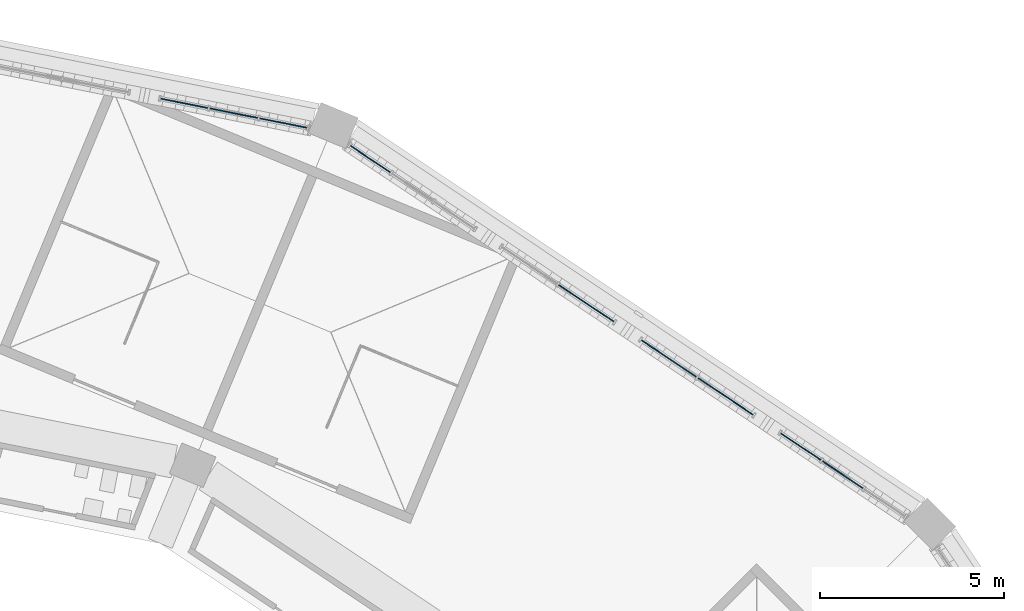
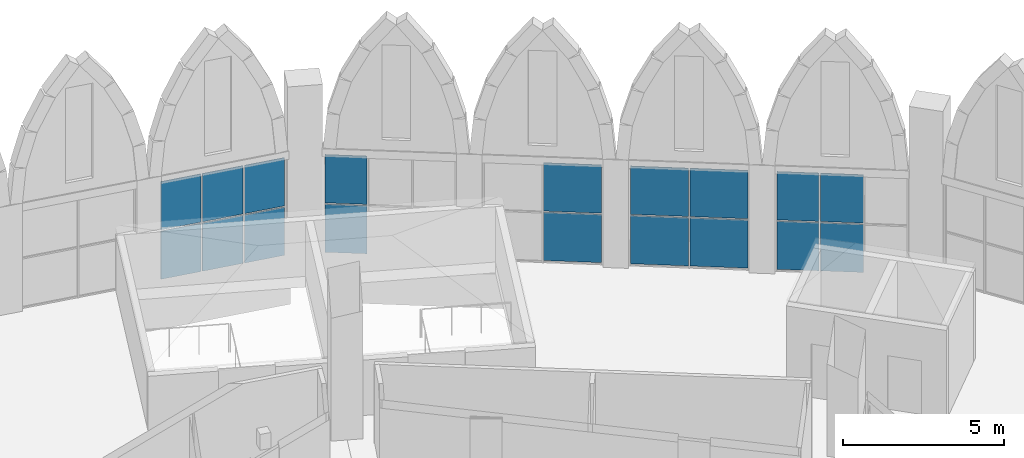
# One storey, part 62 of 130: 18 plates, 5 elements without a shape of their own.
"""IFC4 building model written with IfcOpenShell, lengths in metres."""

from ifc_helpers import new_model, si_unit, direction, frame, origin, origin_2d, place, context, subcontext, project, spatial, rectangle, extrude, material, layer, layer_set, type_object, element, aggregate, save


model = new_model("IFC4")

# Units and contexts
model_context = context("Model", 3, precision=1e-05, world=origin(), true_north=direction((0.0, 1.0)))
body_context = subcontext(model_context, "Body", "Model", "MODEL_VIEW")
ifc_project = project(units=[si_unit("LENGTHUNIT", "METRE"), si_unit("AREAUNIT", "SQUARE_METRE"), si_unit("VOLUMEUNIT", "CUBIC_METRE"), si_unit("PLANEANGLEUNIT", "RADIAN"), si_unit("MASSUNIT", "GRAM", prefix="KILO")], contexts=[model_context])

# Site, building, storey
site_placement = place(None, origin())
site = spatial("IfcSite", under=ifc_project, at=site_placement, CompositionType="ELEMENT")
building_placement = place(site_placement, origin())
building = spatial("IfcBuilding", under=site, at=building_placement, Name="Ogive Plaza Stadium", CompositionType="ELEMENT")
storey_placement = place(building_placement, frame((0.0, 0.0, 22.5)))
storey = spatial("IfcBuildingStorey", under=building, at=storey_placement, Name="L05", CompositionType="ELEMENT", Elevation=22.5)

# Curtain wall, plates
ifc_material_1 = material(Name="Bronze-anodised aluminium with laminated glass", Category="aluminium")
curtain_wall_type = type_object("IfcCurtainWallType", Name="Lancet curtain wall", PredefinedType="NOTDEFINED", material=ifc_material_1)
curtain_wall_1_placement = place(storey_placement, origin())
curtain_wall_1 = element("IfcCurtainWall", 1, at=curtain_wall_1_placement, inside=storey, type_object=curtain_wall_type, Name="CURTAIN WALL B37 L05", PredefinedType="NOTDEFINED")
ifc_material_2 = material(Name="Laminated glass", Category="glass")
ifc_layer = layer(ifc_material_2, 0.028076171875)
ifc_layer_set = layer_set([ifc_layer], Name="Laminated glass panel 28")
plate_type = type_object("IfcPlateType", Name="Laminated glass panel 28", PredefinedType="CURTAIN_PANEL", material=ifc_layer_set)
plate_1_placement = place(storey_placement, frame((49.081787109375, 99.296142578125, 0.0498046875), z_axis=(0.0, 0.0, 1.0), x_axis=(0.980785280413, -0.195090321965, 0.0)))
plate_1 = element("IfcPlate", 2, at=plate_1_placement, type_object=plate_type, Name="CW-B37-L05.4 panel 1.1", PredefinedType="CURTAIN_PANEL", context=body_context, shape_type="SweptSolid", body=[
    extrude(rectangle(XDim=1.310791015625, YDim=0.028076171875, at=origin_2d()), origin(), (0.0, 0.0, 1.0), 1.824951171875),
])
plate_2_placement = place(storey_placement, frame((49.081787109375, 99.296142578125, 1.9248046875), z_axis=(0.0, 0.0, 1.0), x_axis=(0.980785280413, -0.195090321965, 0.0)))
plate_2 = element("IfcPlate", 3, at=plate_2_placement, type_object=plate_type, Name="CW-B37-L05.4 panel 1.2", PredefinedType="CURTAIN_PANEL", context=body_context, shape_type="SweptSolid", body=[
    extrude(rectangle(XDim=1.310791015625, YDim=0.028076171875, at=origin_2d()), origin(), (0.0, 0.0, 1.0), 1.824951171875),
])
plate_3_placement = place(storey_placement, frame((50.428466796875, 99.0283203125, 0.0498046875), z_axis=(0.0, 0.0, 1.0), x_axis=(0.980785280413, -0.195090321965, 0.0)))
plate_3 = element("IfcPlate", 4, at=plate_3_placement, type_object=plate_type, Name="CW-B37-L05.4 panel 2.1", PredefinedType="CURTAIN_PANEL", context=body_context, shape_type="SweptSolid", body=[
    extrude(rectangle(XDim=1.335693359375, YDim=0.028076171875, at=origin_2d()), origin(), (0.0, 0.0, 1.0), 1.824951171875),
])
plate_4_placement = place(storey_placement, frame((50.428466796875, 99.0283203125, 1.9248046875), z_axis=(0.0, 0.0, 1.0), x_axis=(0.980785280413, -0.195090321965, 0.0)))
plate_4 = element("IfcPlate", 5, at=plate_4_placement, type_object=plate_type, Name="CW-B37-L05.4 panel 2.2", PredefinedType="CURTAIN_PANEL", context=body_context, shape_type="SweptSolid", body=[
    extrude(rectangle(XDim=1.335693359375, YDim=0.028076171875, at=origin_2d()), origin(), (0.0, 0.0, 1.0), 1.824951171875),
])
plate_5_placement = place(storey_placement, frame((51.775390625, 98.76025390625, 0.0498046875), z_axis=(0.0, 0.0, 1.0), x_axis=(0.980785280413, -0.195090321965, 0.0)))
plate_5 = element("IfcPlate", 6, at=plate_5_placement, type_object=plate_type, Name="CW-B37-L05.4 panel 3.1", PredefinedType="CURTAIN_PANEL", context=body_context, shape_type="SweptSolid", body=[
    extrude(rectangle(XDim=1.310791015625, YDim=0.028076171875, at=origin_2d()), origin(), (0.0, 0.0, 1.0), 1.824951171875),
])
plate_6_placement = place(storey_placement, frame((51.775390625, 98.76025390625, 1.9248046875), z_axis=(0.0, 0.0, 1.0), x_axis=(0.980785280413, -0.195090321965, 0.0)))
plate_6 = element("IfcPlate", 7, at=plate_6_placement, type_object=plate_type, Name="CW-B37-L05.4 panel 3.2", PredefinedType="CURTAIN_PANEL", context=body_context, shape_type="SweptSolid", body=[
    extrude(rectangle(XDim=1.310791015625, YDim=0.028076171875, at=origin_2d()), origin(), (0.0, 0.0, 1.0), 1.824951171875),
])
aggregate(curtain_wall_1, [plate_1, plate_2, plate_3, plate_4, plate_5, plate_6])

curtain_wall_2_placement = place(storey_placement, origin())
curtain_wall_2 = element("IfcCurtainWall", 8, at=curtain_wall_2_placement, inside=storey, type_object=curtain_wall_type, Name="CURTAIN WALL B38 L05", PredefinedType="NOTDEFINED")
plate_7_placement = place(storey_placement, frame((54.141845703125, 97.780029296875, 0.0498046875), z_axis=(0.0, 0.0, 1.0), x_axis=(0.83146961239, -0.555570232889, 0.0)))
plate_7 = element("IfcPlate", 9, at=plate_7_placement, type_object=plate_type, Name="CW-B38-L05.1 panel 1.1", PredefinedType="CURTAIN_PANEL", context=body_context, shape_type="SweptSolid", body=[
    extrude(rectangle(XDim=1.310791015625, YDim=0.028076171875, at=origin_2d()), origin(), (0.0, 0.0, 1.0), 1.824951171875),
])
plate_8_placement = place(storey_placement, frame((54.141845703125, 97.780029296875, 1.9248046875), z_axis=(0.0, 0.0, 1.0), x_axis=(0.83146961239, -0.555570232889, 0.0)))
plate_8 = element("IfcPlate", 10, at=plate_8_placement, type_object=plate_type, Name="CW-B38-L05.1 panel 1.2", PredefinedType="CURTAIN_PANEL", context=body_context, shape_type="SweptSolid", body=[
    extrude(rectangle(XDim=1.310791015625, YDim=0.028076171875, at=origin_2d()), origin(), (0.0, 0.0, 1.0), 1.824951171875),
])
aggregate(curtain_wall_2, [plate_7, plate_8])

curtain_wall_3_placement = place(storey_placement, origin())
curtain_wall_3 = element("IfcCurtainWall", 11, at=curtain_wall_3_placement, inside=storey, type_object=curtain_wall_type, Name="CURTAIN WALL B38 L05", PredefinedType="NOTDEFINED")
plate_9_placement = place(storey_placement, frame((60.009765625, 93.859375, 0.0498046875), z_axis=(0.0, 0.0, 1.0), x_axis=(0.831469612157, -0.555570233237, 0.0)))
plate_9 = element("IfcPlate", 12, at=plate_9_placement, type_object=plate_type, Name="CW-B38-L05.2 panel 2.1", PredefinedType="CURTAIN_PANEL", context=body_context, shape_type="SweptSolid", body=[
    extrude(rectangle(XDim=1.803466796875, YDim=0.028076171875, at=origin_2d()), origin(), (0.0, 0.0, 1.0), 1.824951171875),
])
plate_10_placement = place(storey_placement, frame((60.009765625, 93.859375, 1.9248046875), z_axis=(0.0, 0.0, 1.0), x_axis=(0.831469612157, -0.555570233237, 0.0)))
plate_10 = element("IfcPlate", 13, at=plate_10_placement, type_object=plate_type, Name="CW-B38-L05.2 panel 2.2", PredefinedType="CURTAIN_PANEL", context=body_context, shape_type="SweptSolid", body=[
    extrude(rectangle(XDim=1.803466796875, YDim=0.028076171875, at=origin_2d()), origin(), (0.0, 0.0, 1.0), 1.824951171875),
])
aggregate(curtain_wall_3, [plate_9, plate_10])

curtain_wall_4_placement = place(storey_placement, origin())
curtain_wall_4 = element("IfcCurtainWall", 14, at=curtain_wall_4_placement, inside=storey, type_object=curtain_wall_type, Name="CURTAIN WALL B38 L05", PredefinedType="NOTDEFINED")
plate_11_placement = place(storey_placement, frame((62.257568359375, 92.357421875, 0.0498046875), z_axis=(0.0, 0.0, 1.0), x_axis=(0.831469612235, -0.555570233121, 0.0)))
plate_11 = element("IfcPlate", 15, at=plate_11_placement, type_object=plate_type, Name="CW-B38-L05.3 panel 1.1", PredefinedType="CURTAIN_PANEL", context=body_context, shape_type="SweptSolid", body=[
    extrude(rectangle(XDim=1.803466796875, YDim=0.028076171875, at=origin_2d()), origin(), (0.0, 0.0, 1.0), 1.824951171875),
])
plate_12_placement = place(storey_placement, frame((62.257568359375, 92.357421875, 1.9248046875), z_axis=(0.0, 0.0, 1.0), x_axis=(0.831469612235, -0.555570233121, 0.0)))
plate_12 = element("IfcPlate", 16, at=plate_12_placement, type_object=plate_type, Name="CW-B38-L05.3 panel 1.2", PredefinedType="CURTAIN_PANEL", context=body_context, shape_type="SweptSolid", body=[
    extrude(rectangle(XDim=1.803466796875, YDim=0.028076171875, at=origin_2d()), origin(), (0.0, 0.0, 1.0), 1.824951171875),
])
plate_13_placement = place(storey_placement, frame((63.798828125, 91.32763671875, 0.0498046875), z_axis=(0.0, 0.0, 1.0), x_axis=(0.831469612235, -0.555570233121, 0.0)))
plate_13 = element("IfcPlate", 17, at=plate_13_placement, type_object=plate_type, Name="CW-B38-L05.3 panel 2.1", PredefinedType="CURTAIN_PANEL", context=body_context, shape_type="SweptSolid", body=[
    extrude(rectangle(XDim=1.803466796875, YDim=0.028076171875, at=origin_2d()), origin(), (0.0, 0.0, 1.0), 1.824951171875),
])
plate_14_placement = place(storey_placement, frame((63.798828125, 91.32763671875, 1.9248046875), z_axis=(0.0, 0.0, 1.0), x_axis=(0.831469612235, -0.555570233121, 0.0)))
plate_14 = element("IfcPlate", 18, at=plate_14_placement, type_object=plate_type, Name="CW-B38-L05.3 panel 2.2", PredefinedType="CURTAIN_PANEL", context=body_context, shape_type="SweptSolid", body=[
    extrude(rectangle(XDim=1.803466796875, YDim=0.028076171875, at=origin_2d()), origin(), (0.0, 0.0, 1.0), 1.824951171875),
])
aggregate(curtain_wall_4, [plate_11, plate_12, plate_13, plate_14])

curtain_wall_5_placement = place(storey_placement, origin())
curtain_wall_5 = element("IfcCurtainWall", 19, at=curtain_wall_5_placement, inside=storey, type_object=curtain_wall_type, Name="CURTAIN WALL B38 L05", PredefinedType="NOTDEFINED")
plate_15_placement = place(storey_placement, frame((65.841796875, 89.96240234375, 0.0498046875), z_axis=(0.0, 0.0, 1.0), x_axis=(0.831469612312, -0.555570233005, 0.0)))
plate_15 = element("IfcPlate", 20, at=plate_15_placement, type_object=plate_type, Name="CW-B38-L05.4 panel 1.1", PredefinedType="CURTAIN_PANEL", context=body_context, shape_type="SweptSolid", body=[
    extrude(rectangle(XDim=1.310791015625, YDim=0.028076171875, at=origin_2d()), origin(), (0.0, 0.0, 1.0), 1.824951171875),
])
plate_16_placement = place(storey_placement, frame((65.841796875, 89.96240234375, 1.9248046875), z_axis=(0.0, 0.0, 1.0), x_axis=(0.831469612312, -0.555570233005, 0.0)))
plate_16 = element("IfcPlate", 21, at=plate_16_placement, type_object=plate_type, Name="CW-B38-L05.4 panel 1.2", PredefinedType="CURTAIN_PANEL", context=body_context, shape_type="SweptSolid", body=[
    extrude(rectangle(XDim=1.310791015625, YDim=0.028076171875, at=origin_2d()), origin(), (0.0, 0.0, 1.0), 1.824951171875),
])
plate_17_placement = place(storey_placement, frame((66.983642578125, 89.199462890625, 0.0498046875), z_axis=(0.0, 0.0, 1.0), x_axis=(0.831469612312, -0.555570233005, 0.0)))
plate_17 = element("IfcPlate", 22, at=plate_17_placement, type_object=plate_type, Name="CW-B38-L05.4 panel 2.1", PredefinedType="CURTAIN_PANEL", context=body_context, shape_type="SweptSolid", body=[
    extrude(rectangle(XDim=1.335693359375, YDim=0.028076171875, at=origin_2d()), origin(), (0.0, 0.0, 1.0), 1.824951171875),
])
plate_18_placement = place(storey_placement, frame((66.983642578125, 89.199462890625, 1.9248046875), z_axis=(0.0, 0.0, 1.0), x_axis=(0.831469612312, -0.555570233005, 0.0)))
plate_18 = element("IfcPlate", 23, at=plate_18_placement, type_object=plate_type, Name="CW-B38-L05.4 panel 2.2", PredefinedType="CURTAIN_PANEL", context=body_context, shape_type="SweptSolid", body=[
    extrude(rectangle(XDim=1.335693359375, YDim=0.028076171875, at=origin_2d()), origin(), (0.0, 0.0, 1.0), 1.824951171875),
])
aggregate(curtain_wall_5, [plate_15, plate_16, plate_17, plate_18])

save(model, "model.ifc")
